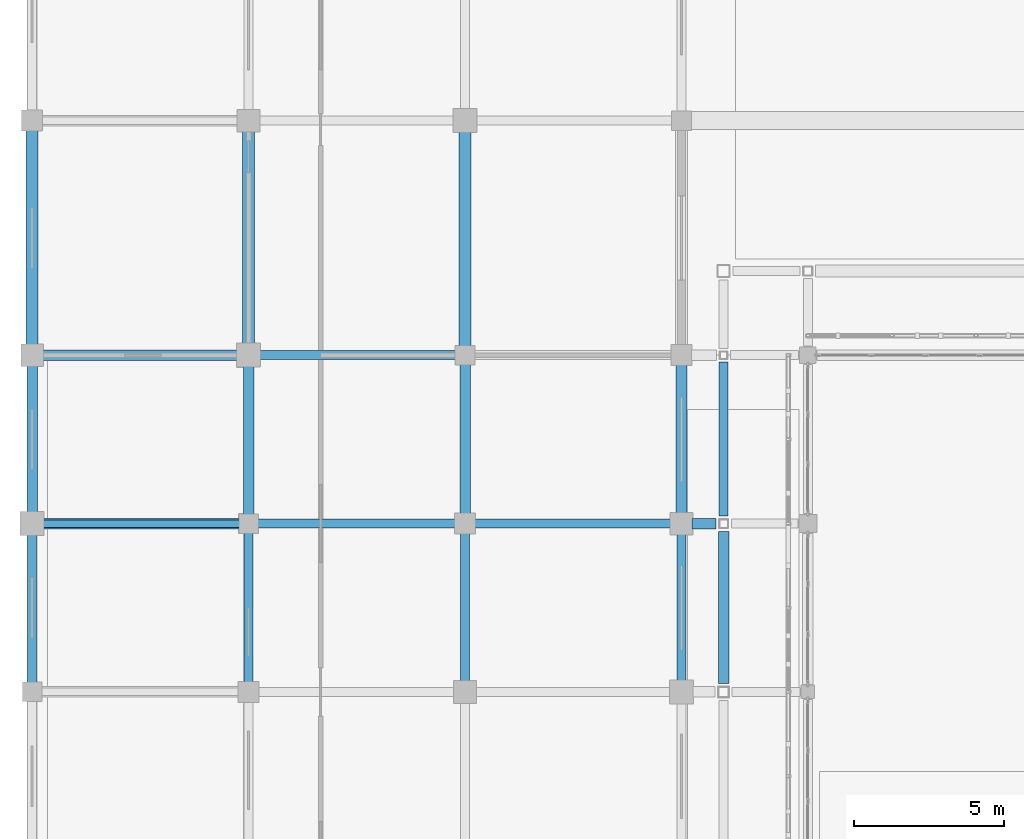
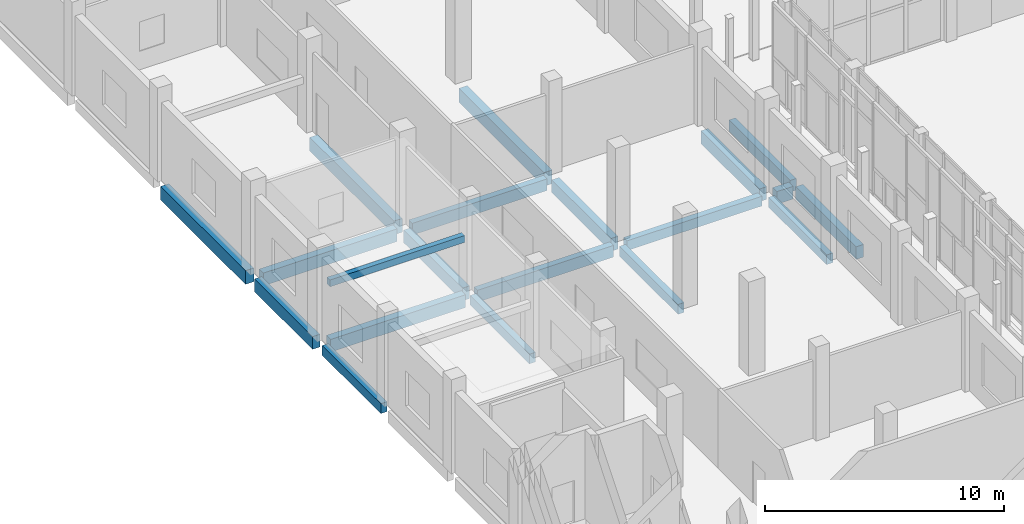
# One storey, part 36 of 91: 20 beams.
"""IFC4 building model written with IfcOpenShell, lengths in metres."""

from ifc_helpers import new_model, si_unit, direction, frame, origin, origin_2d, place, context, subcontext, project, spatial, rectangle, extrude, material, material_profile, profile_set, type_object, element, save


model = new_model("IFC4")

# Units and contexts
model_context = context("Model", 3, precision=1e-05, world=origin(), true_north=direction((0.0, 1.0)))
body_context = subcontext(model_context, "Body", "Model", "MODEL_VIEW")
ifc_project = project(units=[si_unit("LENGTHUNIT", "METRE"), si_unit("AREAUNIT", "SQUARE_METRE"), si_unit("VOLUMEUNIT", "CUBIC_METRE"), si_unit("PLANEANGLEUNIT", "RADIAN"), si_unit("MASSUNIT", "GRAM", prefix="KILO")], contexts=[model_context])

# Site, building, storey
site_placement = place(None, origin())
site = spatial("IfcSite", under=ifc_project, at=site_placement, CompositionType="ELEMENT")
building_placement = place(site_placement, origin())
building = spatial("IfcBuilding", under=site, at=building_placement, Name="Vinh Khe Railworks Police Headquarters", CompositionType="ELEMENT")
storey_placement = place(building_placement, origin())
storey = spatial("IfcBuildingStorey", under=building, at=storey_placement, Name="L00", CompositionType="ELEMENT", Elevation=0.0)

# Beams
ifc_material = material(Name="Concrete C35/45 (B35)", Category="concrete")
ifc_material_profile_1 = material_profile(ifc_material, rectangle(XDim=0.300048828125, YDim=0.5, at=origin_2d()), Name="RC 300x500")
ifc_profile_set_1 = profile_set([ifc_material_profile_1], Name="Concrete C35/45 (B35)")
beam_type_1 = type_object("IfcBeamType", Name="RC Girder RC 300x500", PredefinedType="BEAM", material=ifc_profile_set_1)
beam_1_placement = place(storey_placement, frame((15.330078125, 53.199951171875, -0.530029296875), z_axis=(1.0, 0.0, 0.0), x_axis=(0.0, 1.0, 0.0)))
element("IfcBeam", 1, at=beam_1_placement, inside=storey, type_object=beam_type_1, Name="Girder BM-L00-EW-RB-10-0069", PredefinedType="BEAM", context=body_context, shape_type="SweptSolid", body=[
    extrude(rectangle(XDim=0.300048828125, YDim=0.5, at=origin_2d()), origin(), (0.0, 0.0, 1.0), 6.514892578125),
])
beam_2_placement = place(storey_placement, frame((0.60009765625, 47.905029296875, -0.530029296875), z_axis=(0.0, 1.0, 0.0), x_axis=(-1.0, 0.0, 0.0)))
element("IfcBeam", 2, at=beam_2_placement, inside=storey, type_object=beam_type_1, Name="Girder BM-L00-NS-RB-10-0198", PredefinedType="BEAM", context=body_context, shape_type="SweptSolid", body=[
    extrude(rectangle(XDim=0.300048828125, YDim=0.5, at=origin_2d()), origin(), (0.0, 0.0, 1.0), 4.9150390625),
])
beam_3_placement = place(storey_placement, frame((7.800048828125, 47.929931640625, -0.530029296875), z_axis=(0.0, 1.0, 0.0), x_axis=(-1.0, 0.0, 0.0)))
element("IfcBeam", 3, at=beam_3_placement, inside=storey, type_object=beam_type_1, Name="Girder BM-L00-NS-RB-10-0216", PredefinedType="BEAM", context=body_context, shape_type="SweptSolid", body=[
    extrude(rectangle(XDim=0.300048828125, YDim=0.5, at=origin_2d()), origin(), (0.0, 0.0, 1.0), 4.965087890625),
])
beam_4_placement = place(storey_placement, frame((15.0, 47.955078125, -0.530029296875), z_axis=(0.0, 1.0, 0.0), x_axis=(-1.0, 0.0, 0.0)))
element("IfcBeam", 4, at=beam_4_placement, inside=storey, type_object=beam_type_1, Name="Girder BM-L00-NS-RB-10-0234", PredefinedType="BEAM", context=body_context, shape_type="SweptSolid", body=[
    extrude(rectangle(XDim=0.300048828125, YDim=0.5, at=origin_2d()), origin(), (0.0, 0.0, 1.0), 4.9150390625),
])
beam_5_placement = place(storey_placement, frame((22.199951171875, 47.97998046875, -0.530029296875), z_axis=(0.0, 1.0, 0.0), x_axis=(-1.0, 0.0, 0.0)))
element("IfcBeam", 5, at=beam_5_placement, inside=storey, type_object=beam_type_1, Name="Girder BM-L00-NS-RB-10-0252", PredefinedType="BEAM", context=body_context, shape_type="SweptSolid", body=[
    extrude(rectangle(XDim=0.300048828125, YDim=0.5, at=origin_2d()), origin(), (0.0, 0.0, 1.0), 4.864990234375),
])
ifc_material_profile_2 = material_profile(ifc_material, rectangle(XDim=0.300048828125, YDim=0.60009765625, at=origin_2d()), Name="RC 300x600")
ifc_profile_set_2 = profile_set([ifc_material_profile_2], Name="Concrete C35/45 (B35)")
beam_type_2 = type_object("IfcBeamType", Name="RC Girder RC 300x600", PredefinedType="BEAM", material=ifc_profile_set_2)
beam_6_placement = place(storey_placement, frame((8.10498046875, 53.199951171875, -0.580078125), z_axis=(1.0, 0.0, 0.0), x_axis=(0.0, 1.0, 0.0)))
element("IfcBeam", 6, at=beam_6_placement, inside=storey, type_object=beam_type_2, Name="Girder BM-L00-EW-RB-09-0068", PredefinedType="BEAM", context=body_context, shape_type="SweptSolid", body=[
    extrude(rectangle(XDim=0.300048828125, YDim=0.60009765625, at=origin_2d()), origin(), (0.0, 0.0, 1.0), 6.56494140625),
])
beam_7_placement = place(storey_placement, frame((8.179931640625, 58.800048828125, -0.580078125), z_axis=(1.0, 0.0, 0.0), x_axis=(0.0, 1.0, 0.0)))
element("IfcBeam", 7, at=beam_7_placement, inside=storey, type_object=beam_type_2, Name="Girder BM-L00-EW-RB-09-0074", PredefinedType="BEAM", context=body_context, shape_type="SweptSolid", body=[
    extrude(rectangle(XDim=0.300048828125, YDim=0.60009765625, at=origin_2d()), origin(), (0.0, 0.0, 1.0), 6.51513671875),
])
beam_8_placement = place(storey_placement, frame((23.60009765625, 53.455078125, -0.580078125), z_axis=(0.0, 1.0, 0.0), x_axis=(-1.0, 0.0, 0.0)))
element("IfcBeam", 8, at=beam_8_placement, inside=storey, type_object=beam_type_2, Name="Girder BM-L00-NS-RB-09-0269", PredefinedType="BEAM", context=body_context, shape_type="SweptSolid", body=[
    extrude(rectangle(XDim=0.300048828125, YDim=0.60009765625, at=origin_2d()), origin(), (0.0, 0.0, 1.0), 5.114990234375),
])
ifc_material_profile_3 = material_profile(ifc_material, rectangle(XDim=0.35009765625, YDim=0.64990234375, at=origin_2d()), Name="RC 350x650")
ifc_profile_set_3 = profile_set([ifc_material_profile_3], Name="Concrete C35/45 (B35)")
beam_type_3 = type_object("IfcBeamType", Name="RC Girder RC 350x650", PredefinedType="BEAM", material=ifc_profile_set_3)
beam_9_placement = place(storey_placement, frame((0.97998046875, 53.199951171875, -0.60498046875), z_axis=(1.0, 0.0, 0.0), x_axis=(0.0, 1.0, 0.0)))
element("IfcBeam", 9, at=beam_9_placement, inside=storey, type_object=beam_type_3, Name="Girder BM-L00-EW-RB-08-0067", PredefinedType="BEAM", context=body_context, shape_type="SweptSolid", body=[
    extrude(rectangle(XDim=0.35009765625, YDim=0.64990234375, at=origin_2d()), origin(), (0.0, 0.0, 1.0), 6.51513671875),
])
beam_10_placement = place(storey_placement, frame((22.554931640625, 53.199951171875, -0.60498046875), z_axis=(1.0, 0.0, 0.0), x_axis=(0.0, 1.0, 0.0)))
element("IfcBeam", 10, at=beam_10_placement, inside=storey, type_object=beam_type_3, Name="Girder BM-L00-EW-RB-08-0070", PredefinedType="BEAM", context=body_context, shape_type="SweptSolid", body=[
    extrude(rectangle(XDim=0.35009765625, YDim=0.64990234375, at=origin_2d()), origin(), (0.0, 0.0, 1.0), 0.7900390625),
])
beam_11_placement = place(storey_placement, frame((0.955078125, 58.800048828125, -0.60498046875), z_axis=(1.0, 0.0, 0.0), x_axis=(0.0, 1.0, 0.0)))
element("IfcBeam", 11, at=beam_11_placement, inside=storey, type_object=beam_type_3, Name="Girder BM-L00-EW-RB-08-0073", PredefinedType="BEAM", context=body_context, shape_type="SweptSolid", body=[
    extrude(rectangle(XDim=0.35009765625, YDim=0.64990234375, at=origin_2d()), origin(), (0.0, 0.0, 1.0), 6.46484375),
])
beam_12_placement = place(storey_placement, frame((0.60009765625, 53.580078125, -0.60498046875), z_axis=(0.0, 1.0, 0.0), x_axis=(-1.0, 0.0, 0.0)))
element("IfcBeam", 12, at=beam_12_placement, inside=storey, type_object=beam_type_3, Name="Girder BM-L00-NS-RB-08-0199", PredefinedType="BEAM", context=body_context, shape_type="SweptSolid", body=[
    extrude(rectangle(XDim=0.35009765625, YDim=0.64990234375, at=origin_2d()), origin(), (0.0, 0.0, 1.0), 4.864990234375),
])
beam_13_placement = place(storey_placement, frame((7.800048828125, 53.5048828125, -0.60498046875), z_axis=(0.0, 1.0, 0.0), x_axis=(-1.0, 0.0, 0.0)))
element("IfcBeam", 13, at=beam_13_placement, inside=storey, type_object=beam_type_3, Name="Girder BM-L00-NS-RB-08-0217", PredefinedType="BEAM", context=body_context, shape_type="SweptSolid", body=[
    extrude(rectangle(XDim=0.35009765625, YDim=0.64990234375, at=origin_2d()), origin(), (0.0, 0.0, 1.0), 4.9150390625),
])
beam_14_placement = place(storey_placement, frame((15.0, 53.530029296875, -0.60498046875), z_axis=(0.0, 1.0, 0.0), x_axis=(-1.0, 0.0, 0.0)))
element("IfcBeam", 14, at=beam_14_placement, inside=storey, type_object=beam_type_3, Name="Girder BM-L00-NS-RB-08-0235", PredefinedType="BEAM", context=body_context, shape_type="SweptSolid", body=[
    extrude(rectangle(XDim=0.35009765625, YDim=0.64990234375, at=origin_2d()), origin(), (0.0, 0.0, 1.0), 4.965087890625),
])
beam_15_placement = place(storey_placement, frame((22.199951171875, 53.554931640625, -0.60498046875), z_axis=(0.0, 1.0, 0.0), x_axis=(-1.0, 0.0, 0.0)))
element("IfcBeam", 15, at=beam_15_placement, inside=storey, type_object=beam_type_3, Name="Girder BM-L00-NS-RB-08-0253", PredefinedType="BEAM", context=body_context, shape_type="SweptSolid", body=[
    extrude(rectangle(XDim=0.35009765625, YDim=0.64990234375, at=origin_2d()), origin(), (0.0, 0.0, 1.0), 4.9150390625),
])
beam_16_placement = place(storey_placement, frame((23.60009765625, 47.8798828125, -0.60498046875), z_axis=(0.0, 1.0, 0.0), x_axis=(-1.0, 0.0, 0.0)))
element("IfcBeam", 16, at=beam_16_placement, inside=storey, type_object=beam_type_3, Name="Girder BM-L00-NS-RB-08-0268", PredefinedType="BEAM", context=body_context, shape_type="SweptSolid", body=[
    extrude(rectangle(XDim=0.35009765625, YDim=0.64990234375, at=origin_2d()), origin(), (0.0, 0.0, 1.0), 5.065185546875),
])
ifc_material_profile_4 = material_profile(ifc_material, rectangle(XDim=0.39990234375, YDim=0.699951171875, at=origin_2d()), Name="RC 400x700")
ifc_profile_set_4 = profile_set([ifc_material_profile_4], Name="Concrete C35/45 (B35)")
beam_type_4 = type_object("IfcBeamType", Name="RC Girder RC 400x700", PredefinedType="BEAM", material=ifc_profile_set_4)
beam_17_placement = place(storey_placement, frame((0.60009765625, 59.155029296875, -0.6298828125), z_axis=(0.0, 1.0, 0.0), x_axis=(-1.0, 0.0, 0.0)))
element("IfcBeam", 17, at=beam_17_placement, inside=storey, type_object=beam_type_4, Name="Girder BM-L00-NS-RB-07-0200", PredefinedType="BEAM", context=body_context, shape_type="SweptSolid", body=[
    extrude(rectangle(XDim=0.39990234375, YDim=0.699951171875, at=origin_2d()), origin(), (0.0, 0.0, 1.0), 7.114990234375),
])
beam_18_placement = place(storey_placement, frame((7.800048828125, 59.179931640625, -0.6298828125), z_axis=(0.0, 1.0, 0.0), x_axis=(-1.0, 0.0, 0.0)))
element("IfcBeam", 18, at=beam_18_placement, inside=storey, type_object=beam_type_4, Name="Girder BM-L00-NS-RB-07-0218", PredefinedType="BEAM", context=body_context, shape_type="SweptSolid", body=[
    extrude(rectangle(XDim=0.39990234375, YDim=0.699951171875, at=origin_2d()), origin(), (0.0, 0.0, 1.0), 7.065185546875),
])
beam_19_placement = place(storey_placement, frame((15.0, 59.10498046875, -0.6298828125), z_axis=(0.0, 1.0, 0.0), x_axis=(-1.0, 0.0, 0.0)))
element("IfcBeam", 19, at=beam_19_placement, inside=storey, type_object=beam_type_4, Name="Girder BM-L00-NS-RB-07-0236", PredefinedType="BEAM", context=body_context, shape_type="SweptSolid", body=[
    extrude(rectangle(XDim=0.39990234375, YDim=0.699951171875, at=origin_2d()), origin(), (0.0, 0.0, 1.0), 7.114990234375),
])
ifc_material_profile_5 = material_profile(ifc_material, rectangle(XDim=0.25, YDim=0.35009765625, at=origin_2d()), Name="RC 250x350")
ifc_profile_set_5 = profile_set([ifc_material_profile_5], Name="Concrete C35/45 (B35)")
beam_type_5 = type_object("IfcBeamType", Name="RC Lintel Beam RC 250x350", PredefinedType="LINTEL", material=ifc_profile_set_5)
beam_20_placement = place(storey_placement, frame((0.97998046875, 53.199951171875, 2.550048828125), z_axis=(1.0, 0.0, 0.0), x_axis=(0.0, 1.0, 0.0)))
element("IfcBeam", 20, at=beam_20_placement, inside=storey, type_object=beam_type_5, Name="RC Portal Lintel 03", PredefinedType="LINTEL", context=body_context, shape_type="SweptSolid", body=[
    extrude(rectangle(XDim=0.25, YDim=0.35009765625, at=origin_2d()), origin(), (0.0, 0.0, 1.0), 6.51513671875),
])

save(model, "model.ifc")
